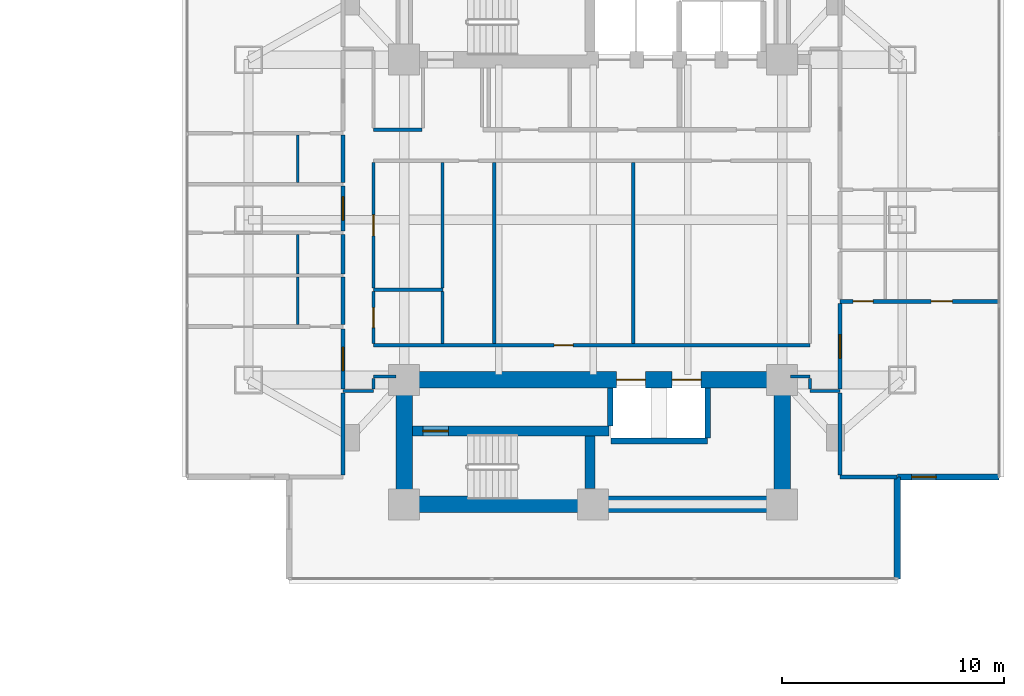
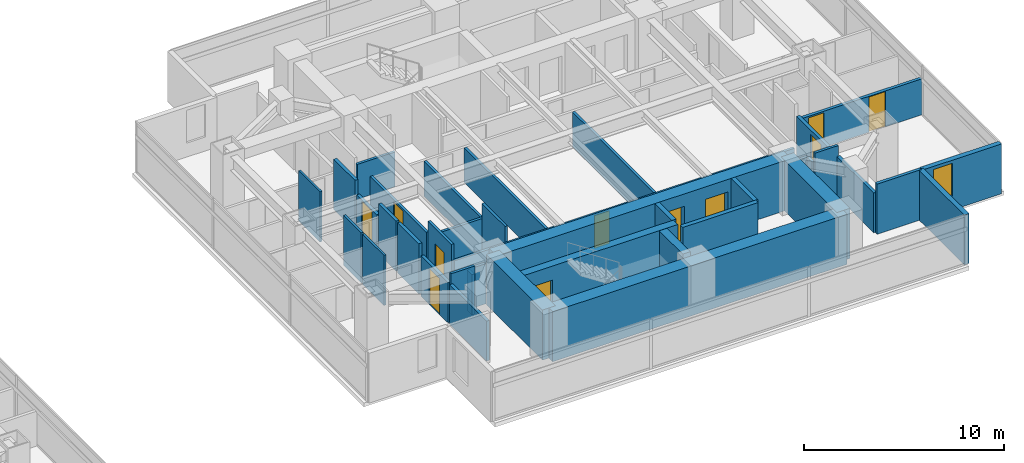
# One storey, part 16 of 23: 39 walls, 11 doors, 1 window, 12 openings.
"""IFC4 building model written with IfcOpenShell, lengths in metres."""

from ifc_helpers import new_model, si_unit, direction, frame, frame_2d, origin, place, context, subcontext, project, spatial, rectangle, extrude, material, layer, layer_set, type_object, element, fill, save


model = new_model("IFC4")

# Units and contexts
model_context = context("Model", 3, precision=1e-05, world=origin(), true_north=direction((0.0, 1.0)))
body_context = subcontext(model_context, "Body", "Model", "MODEL_VIEW")
ifc_project = project(units=[si_unit("LENGTHUNIT", "METRE"), si_unit("AREAUNIT", "SQUARE_METRE"), si_unit("VOLUMEUNIT", "CUBIC_METRE"), si_unit("PLANEANGLEUNIT", "RADIAN"), si_unit("MASSUNIT", "GRAM", prefix="KILO")], contexts=[model_context])

# Site, building, storey
site_placement = place(None, origin())
site = spatial("IfcSite", under=ifc_project, at=site_placement, CompositionType="ELEMENT")
building_placement = place(site_placement, origin())
building = spatial("IfcBuilding", under=site, at=building_placement, Name="Mirazonda Arch Towers", CompositionType="ELEMENT")
storey_placement = place(building_placement, frame((0.0, 0.0, 29.0)))
storey = spatial("IfcBuildingStorey", under=building, at=storey_placement, Name="L07", CompositionType="ELEMENT", Elevation=29.0)

# Wall, opening, door
ifc_material_1 = material(Name="Concrete C50/60", Category="concrete")
ifc_layer_1 = layer(ifc_material_1, 0.449951171875, Name="WALL-CORE-450")
ifc_layer_set_1 = layer_set([ifc_layer_1], Name="Concrete C50/60")
wall_type_1 = type_object("IfcWallType", Name="WALL-CORE-450", PredefinedType="SHEAR", material=ifc_layer_set_1)
wall_1_placement = place(storey_placement, frame((68.3701171875, 18.5, 0.0), z_axis=(0.0, 0.0, 1.0), x_axis=(1.0, 0.0, 0.0)))
wall_1 = element("IfcWall", 1, at=wall_1_placement, inside=storey, type_object=wall_type_1, Name="L07 Stair Core Shear Wall 014", PredefinedType="SHEAR", context=body_context, shape_type="SweptSolid", body=[
    extrude(rectangle(XDim=8.849853515625, YDim=0.449951171875, at=frame_2d((4.4248046875, 0.0))), origin(), (0.0, 0.0, 1.0), 3.06005859375),
])
opening_1_placement = place(wall_1_placement, frame((0.469970703125, 0.0, 0.0)))
opening_1 = element("IfcOpeningElement", 2, at=opening_1_placement, cuts=wall_1, Name="Opening DR-135", PredefinedType="OPENING", context=body_context, shape_type="SweptSolid", body=[
    extrude(rectangle(XDim=1.14990234375, YDim=2.199951171875, at=frame_2d((0.574951171875, 1.10009765625))), frame((0.0, 0.23486328125, 0.0), z_axis=(0.0, -1.0, 0.0), x_axis=(1.0, 0.0, 0.0)), (0.0, 0.0, 1.0), 0.469970703125),
])
ifc_material_2 = material(Name="Architectural Brushed Steel S355", Category="steel")
door_type_1 = type_object("IfcDoorType", Name="DOOR-STAIR-FD90-1150", OperationType="NOTDEFINED", PredefinedType="DOOR", material=ifc_material_2)
door_1_placement = place(opening_1_placement, origin())
door_1 = element("IfcDoor", 3, at=door_1_placement, inside=storey, type_object=door_type_1, Name="L07 East Protected Stair South Door", OperationType="SINGLE_SWING_RIGHT", OverallHeight=2.199951171875, OverallWidth=1.14990234375, PredefinedType="DOOR", context=body_context, shape_type="SweptSolid", body=[
    extrude(rectangle(XDim=1.14990234375, YDim=2.199951171875, at=frame_2d((0.574951171875, 1.10009765625))), frame((0.0, 0.02490234375, 0.0), z_axis=(0.0, -1.0, 0.0), x_axis=(1.0, 0.0, 0.0)), (0.0, 0.0, 1.0), 0.050048828125),
])
fill(opening_1, door_1)

# Walls
wall_2_placement = place(storey_placement, frame((76.360107421875, 15.9150390625, 0.0), z_axis=(0.0, 0.0, 1.0), x_axis=(0.0, 1.0, 0.0)))
element("IfcWall", 4, at=wall_2_placement, inside=storey, type_object=wall_type_1, Name="L07 Stair Core Shear Wall 141", PredefinedType="SHEAR", context=body_context, shape_type="SweptSolid", body=[
    extrude(rectangle(XDim=2.349853515625, YDim=0.449951171875, at=frame_2d((1.1748046875, 0.0))), origin(), (0.0, 0.0, 1.0), 3.06005859375),
])
ifc_material_3 = material(Name="Concrete C60/75", Category="concrete")
ifc_layer_2 = layer(ifc_material_3, 0.75, Name="WALL-CORE-750")
ifc_layer_set_2 = layer_set([ifc_layer_2], Name="Concrete C60/75")
wall_type_2 = type_object("IfcWallType", Name="WALL-CORE-750", PredefinedType="SHEAR", material=ifc_layer_set_2)
wall_3_placement = place(storey_placement, frame((68.0, 15.199951171875, 0.0), z_axis=(0.0, 0.0, 1.0), x_axis=(1.0, 0.0, 0.0)))
element("IfcWall", 5, at=wall_3_placement, inside=storey, type_object=wall_type_2, Name="L07 T2S-S Core Shear Wall", PredefinedType="SHEAR", context=body_context, shape_type="SweptSolid", body=[
    extrude(rectangle(XDim=17.0, YDim=0.75, at=frame_2d((8.5, 0.0))), origin(), (0.0, 0.0, 1.0), 3.06005859375),
])
for number, where, z_axis, x_axis, name in (
    (6, (68.0, 15.199951171875, 0.0), (0.0, 0.0, 1.0), (0.0, 1.0, 0.0), "L07 T2S-W Core Shear Wall"),
    (7, (85.0, 15.199951171875, 0.0), (0.0, 0.0, 1.0), (0.0, 1.0, 0.0), "L07 T2S-E Core Shear Wall"),
):
    element("IfcWall", number, at=place(storey_placement, frame(where, z_axis=z_axis, x_axis=x_axis)), inside=storey, type_object=wall_type_2, Name=name, PredefinedType="SHEAR", context=body_context, shape_type="SweptSolid", body=[
        extrude(rectangle(XDim=5.60009765625, YDim=0.75, at=frame_2d((2.800048828125, 0.0))), origin(), (0.0, 0.0, 1.0), 3.06005859375),
    ])

# Wall, openings, doors
wall_4_placement = place(storey_placement, frame((68.0, 20.800048828125, 0.0), z_axis=(0.0, 0.0, 1.0), x_axis=(1.0, 0.0, 0.0)))
wall_4 = element("IfcWall", 8, at=wall_4_placement, inside=storey, type_object=wall_type_2, Name="L07 T2S-N Core Shear Wall", PredefinedType="SHEAR", context=body_context, shape_type="SweptSolid", body=[
    extrude(rectangle(XDim=17.0, YDim=0.75, at=frame_2d((8.5, 0.0))), origin(), (0.0, 0.0, 1.0), 3.06005859375),
])
opening_2_placement = place(wall_4_placement, frame((9.550048828125, 0.0, 0.0)))
opening_2 = element("IfcOpeningElement", 9, at=opening_2_placement, cuts=wall_4, Name="Opening LD-111", PredefinedType="OPENING", context=body_context, shape_type="SweptSolid", body=[
    extrude(rectangle(XDim=1.300048828125, YDim=2.300048828125, at=frame_2d((0.64990234375, 1.14990234375))), frame((0.0, 0.385009765625, 0.0), z_axis=(0.0, -1.0, 0.0), x_axis=(1.0, 0.0, 0.0)), (0.0, 0.0, 1.0), 0.77001953125),
])
opening_3_placement = place(wall_4_placement, frame((12.050048828125, 0.0, 0.0)))
opening_3 = element("IfcOpeningElement", 10, at=opening_3_placement, cuts=wall_4, Name="Opening LD-111", PredefinedType="OPENING", context=body_context, shape_type="SweptSolid", body=[
    extrude(rectangle(XDim=1.300048828125, YDim=2.300048828125, at=frame_2d((0.64990234375, 1.14990234375))), frame((0.0, 0.385009765625, 0.0), z_axis=(0.0, -1.0, 0.0), x_axis=(1.0, 0.0, 0.0)), (0.0, 0.0, 1.0), 0.77001953125),
])
door_type_2 = type_object("IfcDoorType", Name="DOOR-LIFT-LAND-1300", OperationType="NOTDEFINED", PredefinedType="DOOR", material=ifc_material_2)
door_2_placement = place(opening_2_placement, origin())
door_2 = element("IfcDoor", 11, at=door_2_placement, inside=storey, type_object=door_type_2, Name="L07 Lift Landing Sliding Door PL-T2H1", OperationType="DOUBLE_DOOR_SLIDING", OverallHeight=2.300048828125, OverallWidth=1.300048828125, PredefinedType="DOOR", context=body_context, shape_type="SweptSolid", body=[
    extrude(rectangle(XDim=1.300048828125, YDim=2.300048828125, at=frame_2d((0.64990234375, 1.14990234375))), frame((0.0, 0.02490234375, 0.0), z_axis=(0.0, -1.0, 0.0), x_axis=(1.0, 0.0, 0.0)), (0.0, 0.0, 1.0), 0.050048828125),
])
fill(opening_2, door_2)
door_3_placement = place(opening_3_placement, origin())
door_3 = element("IfcDoor", 12, at=door_3_placement, inside=storey, type_object=door_type_2, Name="L07 Lift Landing Sliding Door PL-T2H2", OperationType="DOUBLE_DOOR_SLIDING", OverallHeight=2.300048828125, OverallWidth=1.300048828125, PredefinedType="DOOR", context=body_context, shape_type="SweptSolid", body=[
    extrude(rectangle(XDim=1.300048828125, YDim=2.300048828125, at=frame_2d((0.64990234375, 1.14990234375))), frame((0.0, 0.02490234375, 0.0), z_axis=(0.0, -1.0, 0.0), x_axis=(1.0, 0.0, 0.0)), (0.0, 0.0, 1.0), 0.050048828125),
])
fill(opening_3, door_3)

# Wall, opening, window
ifc_material_4 = material(Name="Precast Concrete C40/50", Category="concrete")
ifc_layer_3 = layer(ifc_material_4, 0.280029296875, Name="WALL-EXT-WALL-280")
ifc_layer_set_3 = layer_set([ifc_layer_3], Name="Precast Concrete C40/50")
wall_type_3 = type_object("IfcWallType", Name="WALL-EXT-WALL-280", PredefinedType="SOLIDWALL", material=ifc_layer_set_3)
wall_5_placement = place(storey_placement, frame((90.176025390625, 16.433349609375, 0.0), z_axis=(0.0, 0.0, 1.0), x_axis=(1.0, 0.0, 0.0)))
wall_5 = element("IfcWall", 13, at=wall_5_placement, inside=storey, type_object=wall_type_3, Name="L07 T2 Corner Notch Return Wall WL-L07-T2-CSE1", PredefinedType="SOLIDWALL", context=body_context, shape_type="SweptSolid", body=[
    extrude(rectangle(XDim=4.580078125, YDim=0.280029296875, at=frame_2d((2.2900390625, 0.0))), origin(), (0.0, 0.0, 1.0), 3.0400390625),
])
opening_4_placement = place(wall_5_placement, frame((0.64990234375, 0.0, 0.85009765625)))
opening_4 = element("IfcOpeningElement", 14, at=opening_4_placement, cuts=wall_5, Name="Opening WN-108", PredefinedType="OPENING", context=body_context, shape_type="SweptSolid", body=[
    extrude(rectangle(XDim=1.10009765625, YDim=2.0, at=frame_2d((0.550048828125, 1.0))), frame((0.0, 0.14990234375, 0.0), z_axis=(0.0, -1.0, 0.0), x_axis=(1.0, 0.0, 0.0)), (0.0, 0.0, 1.0), 0.300048828125),
])
ifc_material_5 = material(Name="Insulated Low-E Solar Glass", Category="glass")
window_type = type_object("IfcWindowType", Name="WIN-NOTCH-1100x2000", PartitioningType="SINGLE_PANEL", PredefinedType="WINDOW", material=ifc_material_5)
window_placement = place(opening_4_placement, origin())
window = element("IfcWindow", 15, at=window_placement, inside=storey, type_object=window_type, Name="L07 Punched Facade Window WN-L07-T2-CSE1", OverallHeight=2.0, OverallWidth=1.10009765625, PartitioningType="SINGLE_PANEL", PredefinedType="WINDOW", context=body_context, shape_type="SweptSolid", body=[
    extrude(rectangle(XDim=1.10009765625, YDim=2.0, at=frame_2d((0.550048828125, 1.0))), frame((0.0, 0.030029296875, 0.0), z_axis=(0.0, -1.0, 0.0), x_axis=(1.0, 0.0, 0.0)), (0.0, 0.0, 1.0), 0.06005859375),
])
fill(opening_4, window)

# Walls
wall_6_placement = place(storey_placement, frame((90.176025390625, 11.853515625, 0.0), z_axis=(0.0, 0.0, 1.0), x_axis=(0.0, 1.0, 0.0)))
element("IfcWall", 16, at=wall_6_placement, inside=storey, type_object=wall_type_3, Name="L07 T2 Corner Notch Return Wall WL-L07-T2-CSE2", PredefinedType="SOLIDWALL", context=body_context, shape_type="SweptSolid", body=[
    extrude(rectangle(XDim=4.579833984375, YDim=0.280029296875, at=frame_2d((2.2900390625, 0.0))), origin(), (0.0, 0.0, 1.0), 3.0400390625),
])
ifc_material_6 = material(Name="Fire-Rated Gypsum Stud Partition")
ifc_layer_4 = layer(ifc_material_6, 0.14990234375, Name="WALL-PART-CORR-150")
ifc_layer_set_4 = layer_set([ifc_layer_4], Name="Fire-Rated Gypsum Stud Partition")
wall_type_4 = type_object("IfcWallType", Name="WALL-PART-CORR-150", PredefinedType="PARTITIONING", material=ifc_layer_set_4)
wall_7_placement = place(storey_placement, frame((65.25, 20.300048828125, 0.0), z_axis=(0.0, 0.0, 1.0), x_axis=(1.0, 0.0, 0.0)))
element("IfcWall", 17, at=wall_7_placement, inside=storey, type_object=wall_type_4, Name="L07 Interior Partition 017", PredefinedType="PARTITIONING", context=body_context, shape_type="SweptSolid", body=[
    extrude(rectangle(XDim=1.3701171875, YDim=0.14990234375, at=frame_2d((0.68505859375, 0.0))), origin(), (0.0, 0.0, 1.0), 3.06005859375),
])
wall_8_placement = place(storey_placement, frame((86.25, 20.300048828125, 0.0), z_axis=(0.0, 0.0, 1.0), x_axis=(1.0, 0.0, 0.0)))
element("IfcWall", 18, at=wall_8_placement, inside=storey, type_object=wall_type_4, Name="L07 Interior Partition 018", PredefinedType="PARTITIONING", context=body_context, shape_type="SweptSolid", body=[
    extrude(rectangle(XDim=1.35009765625, YDim=0.14990234375, at=frame_2d((0.675048828125, 0.0))), origin(), (0.0, 0.0, 1.0), 3.06005859375),
])
wall_9_placement = place(storey_placement, frame((66.6201171875, 20.949951171875, 0.0), z_axis=(0.0, 0.0, 1.0), x_axis=(1.0, 0.0, 0.0)))
element("IfcWall", 19, at=wall_9_placement, inside=storey, type_object=wall_type_4, Name="L07 Interior Partition 019", PredefinedType="PARTITIONING", context=body_context, shape_type="SweptSolid", body=[
    extrude(rectangle(XDim=1.009765625, YDim=0.14990234375, at=frame_2d((0.5048828125, 0.0))), origin(), (0.0, 0.0, 1.0), 2.451904296875),
])
wall_10_placement = place(storey_placement, frame((85.3701171875, 20.949951171875, 0.0), z_axis=(0.0, 0.0, 1.0), x_axis=(1.0, 0.0, 0.0)))
element("IfcWall", 20, at=wall_10_placement, inside=storey, type_object=wall_type_4, Name="L07 Interior Partition 020", PredefinedType="PARTITIONING", context=body_context, shape_type="SweptSolid", body=[
    extrude(rectangle(XDim=0.8798828125, YDim=0.14990234375, at=frame_2d((0.43994140625, 0.0))), origin(), (0.0, 0.0, 1.0), 2.451904296875),
])

# Wall, opening, door
wall_11_placement = place(storey_placement, frame((66.6201171875, 22.35009765625, 0.0), z_axis=(0.0, 0.0, 1.0), x_axis=(1.0, 0.0, 0.0)))
wall_11 = element("IfcWall", 21, at=wall_11_placement, inside=storey, type_object=wall_type_4, Name="L07 Interior Partition 023", PredefinedType="PARTITIONING", context=body_context, shape_type="SweptSolid", body=[
    extrude(rectangle(XDim=19.6298828125, YDim=0.14990234375, at=frame_2d((9.81494140625, 0.0))), origin(), (0.0, 0.0, 1.0), 2.125),
])
opening_5_placement = place(wall_11_placement, frame((8.12890625, 0.0, 0.0)))
opening_5 = element("IfcOpeningElement", 22, at=opening_5_placement, cuts=wall_11, Name="Opening DR-128", PredefinedType="OPENING", context=body_context, shape_type="SweptSolid", body=[
    extrude(rectangle(XDim=0.85009765625, YDim=2.010009765625, at=frame_2d((0.425048828125, 1.0048828125))), frame((0.0, 0.0849609375, 0.0), z_axis=(0.0, -1.0, 0.0), x_axis=(1.0, 0.0, 0.0)), (0.0, 0.0, 1.0), 0.169921875),
])
door_type_3 = type_object("IfcDoorType", Name="DOOR-RISER-FD60-850", OperationType="NOTDEFINED", PredefinedType="DOOR", material=ifc_material_2)
door_4_placement = place(opening_5_placement, origin())
door_4 = element("IfcDoor", 23, at=door_4_placement, inside=storey, type_object=door_type_3, Name="L07 Executive Club Lounge Door", OperationType="SINGLE_SWING_LEFT", OverallHeight=2.010009765625, OverallWidth=0.85009765625, PredefinedType="DOOR", context=body_context, shape_type="SweptSolid", body=[
    extrude(rectangle(XDim=0.85009765625, YDim=2.010009765625, at=frame_2d((0.425048828125, 1.0048828125))), frame((0.0, 0.02490234375, 0.0), z_axis=(0.0, -1.0, 0.0), x_axis=(1.0, 0.0, 0.0)), (0.0, 0.0, 1.0), 0.050048828125),
])
fill(opening_5, door_4)

# Walls
wall_12_placement = place(storey_placement, frame((66.6201171875, 24.85009765625, 0.0), z_axis=(0.0, 0.0, 1.0), x_axis=(1.0, 0.0, 0.0)))
element("IfcWall", 24, at=wall_12_placement, inside=storey, type_object=wall_type_4, Name="L07 Interior Partition 028", PredefinedType="PARTITIONING", context=body_context, shape_type="SweptSolid", body=[
    extrude(rectangle(XDim=3.1298828125, YDim=0.14990234375, at=frame_2d((1.56494140625, 0.0))), origin(), (0.0, 0.0, 1.0), 2.125),
])
wall_13_placement = place(storey_placement, frame((66.6201171875, 32.050048828125, 0.0), z_axis=(0.0, 0.0, 1.0), x_axis=(1.0, 0.0, 0.0)))
element("IfcWall", 25, at=wall_13_placement, inside=storey, type_object=wall_type_4, Name="L07 Interior Partition 041", PredefinedType="PARTITIONING", context=body_context, shape_type="SweptSolid", body=[
    extrude(rectangle(XDim=2.179931640625, YDim=0.14990234375, at=frame_2d((1.08984375, 0.0))), origin(), (0.0, 0.0, 1.0), 2.125),
])
wall_14_placement = place(storey_placement, frame((66.6201171875, 20.385009765625, 0.0), z_axis=(0.0, 0.0, 1.0), x_axis=(0.0, 1.0, 0.0)))
element("IfcWall", 26, at=wall_14_placement, inside=storey, type_object=wall_type_4, Name="L07 Interior Partition 130", PredefinedType="PARTITIONING", context=body_context, shape_type="SweptSolid", body=[
    extrude(rectangle(XDim=0.47998046875, YDim=0.14990234375, at=frame_2d((0.239990234375, 0.0))), origin(), (0.0, 0.0, 1.0), 2.451904296875),
])

# Wall, opening, door
wall_15_placement = place(storey_placement, frame((66.6201171875, 22.43505859375, 0.0), z_axis=(0.0, 0.0, 1.0), x_axis=(0.0, 1.0, 0.0)))
wall_15 = element("IfcWall", 27, at=wall_15_placement, inside=storey, type_object=wall_type_4, Name="L07 Interior Partition 131", PredefinedType="PARTITIONING", context=body_context, shape_type="SweptSolid", body=[
    extrude(rectangle(XDim=2.329833984375, YDim=0.14990234375, at=frame_2d((1.1650390625, 0.0))), origin(), (0.0, 0.0, 1.0), 3.06005859375),
])
opening_6_placement = place(wall_15_placement, frame((0.715087890625, 0.0, 0.0)))
opening_6 = element("IfcOpeningElement", 28, at=opening_6_placement, cuts=wall_15, Name="Opening DR-120", PredefinedType="OPENING", context=body_context, shape_type="SweptSolid", body=[
    extrude(rectangle(XDim=0.89990234375, YDim=2.10009765625, at=frame_2d((0.449951171875, 1.050048828125))), frame((0.0, 0.0849609375, 0.0), z_axis=(0.0, -1.0, 0.0), x_axis=(1.0, 0.0, 0.0)), (0.0, 0.0, 1.0), 0.169921875),
])
door_type_4 = type_object("IfcDoorType", Name="DOOR-WC-900", OperationType="NOTDEFINED", PredefinedType="DOOR", material=ifc_material_2)
door_5_placement = place(opening_6_placement, origin())
door_5 = element("IfcDoor", 29, at=door_5_placement, inside=storey, type_object=door_type_4, Name="L07 Tower 2 Common Accessible WC Door", OperationType="SINGLE_SWING_LEFT", OverallHeight=2.10009765625, OverallWidth=0.89990234375, PredefinedType="DOOR", context=body_context, shape_type="SweptSolid", body=[
    extrude(rectangle(XDim=0.89990234375, YDim=2.10009765625, at=frame_2d((0.449951171875, 1.050048828125))), frame((0.0, 0.02490234375, 0.0), z_axis=(0.0, -1.0, 0.0), x_axis=(1.0, 0.0, 0.0)), (0.0, 0.0, 1.0), 0.050048828125),
])
fill(opening_6, door_5)

wall_16_placement = place(storey_placement, frame((66.6201171875, 24.93505859375, 0.0), z_axis=(0.0, 0.0, 1.0), x_axis=(0.0, 1.0, 0.0)))
wall_16 = element("IfcWall", 30, at=wall_16_placement, inside=storey, type_object=wall_type_4, Name="L07 Interior Partition 132", PredefinedType="PARTITIONING", context=body_context, shape_type="SweptSolid", body=[
    extrude(rectangle(XDim=5.6298828125, YDim=0.14990234375, at=frame_2d((2.81494140625, 0.0))), origin(), (0.0, 0.0, 1.0), 2.279052734375),
])
opening_7_placement = place(wall_16_placement, frame((2.340087890625, 0.0, 0.0)))
opening_7 = element("IfcOpeningElement", 31, at=opening_7_placement, cuts=wall_16, Name="Opening DR-104", PredefinedType="OPENING", context=body_context, shape_type="SweptSolid", body=[
    extrude(rectangle(XDim=0.949951171875, YDim=2.14990234375, at=frame_2d((0.47509765625, 1.074951171875))), frame((0.0, 0.0849609375, 0.0), z_axis=(0.0, -1.0, 0.0), x_axis=(1.0, 0.0, 0.0)), (0.0, 0.0, 1.0), 0.169921875),
])
door_type_5 = type_object("IfcDoorType", Name="DOOR-ROOM-950", OperationType="NOTDEFINED", PredefinedType="DOOR", material=ifc_material_2)
door_6_placement = place(opening_7_placement, origin())
door_6 = element("IfcDoor", 32, at=door_6_placement, inside=storey, type_object=door_type_5, Name="L07 L07 East Courtyard Reading Study Door", OperationType="SINGLE_SWING_LEFT", OverallHeight=2.14990234375, OverallWidth=0.949951171875, PredefinedType="DOOR", context=body_context, shape_type="SweptSolid", body=[
    extrude(rectangle(XDim=0.949951171875, YDim=2.14990234375, at=frame_2d((0.47509765625, 1.074951171875))), frame((0.0, 0.02490234375, 0.0), z_axis=(0.0, -1.0, 0.0), x_axis=(1.0, 0.0, 0.0)), (0.0, 0.0, 1.0), 0.050048828125),
])
fill(opening_7, door_6)

# Walls
wall_17_placement = place(storey_placement, frame((69.723388671875, 22.43505859375, 0.0), z_axis=(0.0, 0.0, 1.0), x_axis=(0.0, 1.0, 0.0)))
element("IfcWall", 33, at=wall_17_placement, inside=storey, type_object=wall_type_4, Name="L07 Interior Partition 135", PredefinedType="PARTITIONING", context=body_context, shape_type="SweptSolid", body=[
    extrude(rectangle(XDim=2.329833984375, YDim=0.14990234375, at=frame_2d((1.1650390625, 0.0))), origin(), (0.0, 0.0, 1.0), 3.06005859375),
])
wall_18_placement = place(storey_placement, frame((69.723388671875, 24.93505859375, 0.0), z_axis=(0.0, 0.0, 1.0), x_axis=(0.0, 1.0, 0.0)))
element("IfcWall", 34, at=wall_18_placement, inside=storey, type_object=wall_type_4, Name="L07 Interior Partition 136", PredefinedType="PARTITIONING", context=body_context, shape_type="SweptSolid", body=[
    extrude(rectangle(XDim=5.6298828125, YDim=0.14990234375, at=frame_2d((2.81494140625, 0.0))), origin(), (0.0, 0.0, 1.0), 2.125),
])
for number, where, z_axis, x_axis, name in (
    (35, (72.050048828125, 22.43505859375, 0.0), (0.0, 0.0, 1.0), (0.0, 1.0, 0.0), "L07 Interior Partition 139"),
    (36, (78.298095703125, 22.43505859375, 0.0), (0.0, 0.0, 1.0), (0.0, 1.0, 0.0), "L07 Interior Partition 144"),
):
    element("IfcWall", number, at=place(storey_placement, frame(where, z_axis=z_axis, x_axis=x_axis)), inside=storey, type_object=wall_type_4, Name=name, PredefinedType="PARTITIONING", context=body_context, shape_type="SweptSolid", body=[
        extrude(rectangle(XDim=8.1298828125, YDim=0.14990234375, at=frame_2d((4.06494140625, 0.0))), origin(), (0.0, 0.0, 1.0), 2.125),
    ])
wall_19_placement = place(storey_placement, frame((86.25, 20.385009765625, 0.0), z_axis=(0.0, 0.0, 1.0), x_axis=(0.0, 1.0, 0.0)))
element("IfcWall", 37, at=wall_19_placement, inside=storey, type_object=wall_type_4, Name="L07 Interior Partition 149", PredefinedType="PARTITIONING", context=body_context, shape_type="SweptSolid", body=[
    extrude(rectangle(XDim=0.47998046875, YDim=0.14990234375, at=frame_2d((0.239990234375, 0.0))), origin(), (0.0, 0.0, 1.0), 2.451904296875),
])
ifc_material_7 = material(Name="Fire-Rated Gypsum Twin-Stud Assembly")
ifc_layer_5 = layer(ifc_material_7, 0.179931640625, Name="WALL-PART-DEMISE-180")
ifc_layer_set_5 = layer_set([ifc_layer_5], Name="Fire-Rated Gypsum Twin-Stud Assembly")
wall_type_5 = type_object("IfcWallType", Name="WALL-PART-DEMISE-180", PredefinedType="PARTITIONING", material=ifc_layer_set_5)
wall_20_placement = place(storey_placement, frame((87.60009765625, 16.43310546875, 0.0), z_axis=(0.0, 0.0, 1.0), x_axis=(1.0, 0.0, 0.0)))
element("IfcWall", 38, at=wall_20_placement, inside=storey, type_object=wall_type_5, Name="L07 Interior Partition 010", PredefinedType="PARTITIONING", context=body_context, shape_type="SweptSolid", body=[
    extrude(rectangle(XDim=2.555908203125, YDim=0.179931640625, at=frame_2d((1.27783203125, 0.0))), origin(), (0.0, 0.0, 1.0), 3.06005859375),
])

# Wall, openings, doors
wall_21_placement = place(storey_placement, frame((87.60009765625, 24.33203125, 0.0), z_axis=(0.0, 0.0, 1.0), x_axis=(1.0, 0.0, 0.0)))
wall_21 = element("IfcWall", 39, at=wall_21_placement, inside=storey, type_object=wall_type_5, Name="L07 Interior Partition 027", PredefinedType="PARTITIONING", context=body_context, shape_type="SweptSolid", body=[
    extrude(rectangle(XDim=7.156005859375, YDim=0.179931640625, at=frame_2d((3.578125, 0.0))), origin(), (0.0, 0.0, 1.0), 2.196044921875),
])
opening_8_placement = place(wall_21_placement, frame((4.10302734375, 0.0, 0.0)))
opening_8 = element("IfcOpeningElement", 40, at=opening_8_placement, cuts=wall_21, Name="Opening DR-104", PredefinedType="OPENING", context=body_context, shape_type="SweptSolid", body=[
    extrude(rectangle(XDim=0.949951171875, YDim=2.14990234375, at=frame_2d((0.47509765625, 1.074951171875))), frame((0.0, 0.099853515625, 0.0), z_axis=(0.0, -1.0, 0.0), x_axis=(1.0, 0.0, 0.0)), (0.0, 0.0, 1.0), 0.199951171875),
])
opening_9_placement = place(wall_21_placement, frame((0.590087890625, 0.0, 0.0)))
opening_9 = element("IfcOpeningElement", 41, at=opening_9_placement, cuts=wall_21, Name="Opening DR-120", PredefinedType="OPENING", context=body_context, shape_type="SweptSolid", body=[
    extrude(rectangle(XDim=0.89990234375, YDim=2.10009765625, at=frame_2d((0.449951171875, 1.050048828125))), frame((0.0, 0.099853515625, 0.0), z_axis=(0.0, -1.0, 0.0), x_axis=(1.0, 0.0, 0.0)), (0.0, 0.0, 1.0), 0.199951171875),
])
door_7_placement = place(opening_8_placement, origin())
door_7 = element("IfcDoor", 42, at=door_7_placement, inside=storey, type_object=door_type_5, Name="L07 Suite Bedroom 1 Door", OperationType="SINGLE_SWING_RIGHT", OverallHeight=2.14990234375, OverallWidth=0.949951171875, PredefinedType="DOOR", context=body_context, shape_type="SweptSolid", body=[
    extrude(rectangle(XDim=0.949951171875, YDim=2.14990234375, at=frame_2d((0.47509765625, 1.074951171875))), frame((0.0, 0.02490234375, 0.0), z_axis=(0.0, -1.0, 0.0), x_axis=(1.0, 0.0, 0.0)), (0.0, 0.0, 1.0), 0.050048828125),
])
fill(opening_8, door_7)
door_8_placement = place(opening_9_placement, origin())
door_8 = element("IfcDoor", 43, at=door_8_placement, inside=storey, type_object=door_type_4, Name="L07 Suite En-Suite Bathroom 1 Door", OperationType="SINGLE_SWING_LEFT", OverallHeight=2.10009765625, OverallWidth=0.89990234375, PredefinedType="DOOR", context=body_context, shape_type="SweptSolid", body=[
    extrude(rectangle(XDim=0.89990234375, YDim=2.10009765625, at=frame_2d((0.449951171875, 1.050048828125))), frame((0.0, 0.02490234375, 0.0), z_axis=(0.0, -1.0, 0.0), x_axis=(1.0, 0.0, 0.0)), (0.0, 0.0, 1.0), 0.050048828125),
])
fill(opening_9, door_8)

# Wall
wall_22_placement = place(storey_placement, frame((65.25, 16.532958984375, 0.0), z_axis=(0.0, 0.0, 1.0), x_axis=(0.0, 1.0, 0.0)))
element("IfcWall", 44, at=wall_22_placement, inside=storey, type_object=wall_type_5, Name="L07 Interior Partition 122", PredefinedType="PARTITIONING", context=body_context, shape_type="SweptSolid", body=[
    extrude(rectangle(XDim=3.68212890625, YDim=0.179931640625, at=frame_2d((1.841064453125, 0.0))), origin(), (0.0, 0.0, 1.0), 2.43603515625),
])

# Wall, opening, door
wall_23_placement = place(storey_placement, frame((65.25, 20.385009765625, 0.0), z_axis=(0.0, 0.0, 1.0), x_axis=(0.0, 1.0, 0.0)))
wall_23 = element("IfcWall", 45, at=wall_23_placement, inside=storey, type_object=wall_type_5, Name="L07 Interior Partition 123", PredefinedType="PARTITIONING", context=body_context, shape_type="SweptSolid", body=[
    extrude(rectangle(XDim=2.70703125, YDim=0.179931640625, at=frame_2d((1.353515625, 0.0))), origin(), (0.0, 0.0, 1.0), 2.451904296875),
])
opening_10_placement = place(wall_23_placement, frame((0.82861328125, 0.0, 0.0)))
opening_10 = element("IfcOpeningElement", 46, at=opening_10_placement, cuts=wall_23, Name="Opening DR-121", PredefinedType="OPENING", context=body_context, shape_type="SweptSolid", body=[
    extrude(rectangle(XDim=1.050048828125, YDim=2.199951171875, at=frame_2d((0.52490234375, 1.10009765625))), frame((0.0, 0.099853515625, 0.0), z_axis=(0.0, -1.0, 0.0), x_axis=(1.0, 0.0, 0.0)), (0.0, 0.0, 1.0), 0.199951171875),
])
door_type_6 = type_object("IfcDoorType", Name="DOOR-SUITE-FD60-1050", OperationType="NOTDEFINED", PredefinedType="DOOR", material=ifc_material_2)
door_9_placement = place(opening_10_placement, origin())
door_9 = element("IfcDoor", 47, at=door_9_placement, inside=storey, type_object=door_type_6, Name="L07 King Hotel Guestroom 1 Door", OperationType="SINGLE_SWING_RIGHT", OverallHeight=2.199951171875, OverallWidth=1.050048828125, PredefinedType="DOOR", context=body_context, shape_type="SweptSolid", body=[
    extrude(rectangle(XDim=1.050048828125, YDim=2.199951171875, at=frame_2d((0.52490234375, 1.10009765625))), frame((0.0, 0.02490234375, 0.0), z_axis=(0.0, -1.0, 0.0), x_axis=(1.0, 0.0, 0.0)), (0.0, 0.0, 1.0), 0.050048828125),
])
fill(opening_10, door_9)

# Walls
wall_24_placement = place(storey_placement, frame((65.25, 23.2919921875, 0.0), z_axis=(0.0, 0.0, 1.0), x_axis=(0.0, 1.0, 0.0)))
element("IfcWall", 48, at=wall_24_placement, inside=storey, type_object=wall_type_5, Name="L07 Interior Partition 124", PredefinedType="PARTITIONING", context=body_context, shape_type="SweptSolid", body=[
    extrude(rectangle(XDim=2.12744140625, YDim=0.179931640625, at=frame_2d((1.063720703125, 0.0))), origin(), (0.0, 0.0, 1.0), 3.06005859375),
])
wall_25_placement = place(storey_placement, frame((65.25, 25.564453125, 0.0), z_axis=(0.0, 0.0, 1.0), x_axis=(0.0, 1.0, 0.0)))
element("IfcWall", 49, at=wall_25_placement, inside=storey, type_object=wall_type_5, Name="L07 Interior Partition 125", PredefinedType="PARTITIONING", context=body_context, shape_type="SweptSolid", body=[
    extrude(rectangle(XDim=1.762451171875, YDim=0.179931640625, at=frame_2d((0.88134765625, 0.0))), origin(), (0.0, 0.0, 1.0), 3.06005859375),
])

# Wall, opening, door
wall_26_placement = place(storey_placement, frame((65.25, 27.4970703125, 0.0), z_axis=(0.0, 0.0, 1.0), x_axis=(0.0, 1.0, 0.0)))
wall_26 = element("IfcWall", 50, at=wall_26_placement, inside=storey, type_object=wall_type_5, Name="L07 Interior Partition 126", PredefinedType="PARTITIONING", context=body_context, shape_type="SweptSolid", body=[
    extrude(rectangle(XDim=2.013916015625, YDim=0.179931640625, at=frame_2d((1.0068359375, 0.0))), origin(), (0.0, 0.0, 1.0), 2.279052734375),
])
opening_11_placement = place(wall_26_placement, frame((0.48193359375, 0.0, 0.0)))
opening_11 = element("IfcOpeningElement", 51, at=opening_11_placement, cuts=wall_26, Name="Opening DR-121", PredefinedType="OPENING", context=body_context, shape_type="SweptSolid", body=[
    extrude(rectangle(XDim=1.050048828125, YDim=2.199951171875, at=frame_2d((0.52490234375, 1.10009765625))), frame((0.0, 0.099853515625, 0.0), z_axis=(0.0, -1.0, 0.0), x_axis=(1.0, 0.0, 0.0)), (0.0, 0.0, 1.0), 0.199951171875),
])
door_10_placement = place(opening_11_placement, origin())
door_10 = element("IfcDoor", 52, at=door_10_placement, inside=storey, type_object=door_type_6, Name="L07 Twin Hotel Guestroom 2 Door", OperationType="SINGLE_SWING_LEFT", OverallHeight=2.199951171875, OverallWidth=1.050048828125, PredefinedType="DOOR", context=body_context, shape_type="SweptSolid", body=[
    extrude(rectangle(XDim=1.050048828125, YDim=2.199951171875, at=frame_2d((0.52490234375, 1.10009765625))), frame((0.0, 0.02490234375, 0.0), z_axis=(0.0, -1.0, 0.0), x_axis=(1.0, 0.0, 0.0)), (0.0, 0.0, 1.0), 0.050048828125),
])
fill(opening_11, door_10)

# Walls
wall_27_placement = place(storey_placement, frame((65.25, 29.680908203125, 0.0), z_axis=(0.0, 0.0, 1.0), x_axis=(0.0, 1.0, 0.0)))
element("IfcWall", 53, at=wall_27_placement, inside=storey, type_object=wall_type_5, Name="L07 Interior Partition 127", PredefinedType="PARTITIONING", context=body_context, shape_type="SweptSolid", body=[
    extrude(rectangle(XDim=2.130126953125, YDim=0.179931640625, at=frame_2d((1.06494140625, 0.0))), origin(), (0.0, 0.0, 1.0), 3.06005859375),
])
wall_28_placement = place(storey_placement, frame((87.60009765625, 16.532958984375, 0.0), z_axis=(0.0, 0.0, 1.0), x_axis=(0.0, 1.0, 0.0)))
element("IfcWall", 54, at=wall_28_placement, inside=storey, type_object=wall_type_5, Name="L07 Interior Partition 153", PredefinedType="PARTITIONING", context=body_context, shape_type="SweptSolid", body=[
    extrude(rectangle(XDim=3.68212890625, YDim=0.179931640625, at=frame_2d((1.841064453125, 0.0))), origin(), (0.0, 0.0, 1.0), 2.43603515625),
])

# Wall, opening, door
wall_29_placement = place(storey_placement, frame((87.60009765625, 20.385009765625, 0.0), z_axis=(0.0, 0.0, 1.0), x_axis=(0.0, 1.0, 0.0)))
wall_29 = element("IfcWall", 55, at=wall_29_placement, inside=storey, type_object=wall_type_5, Name="L07 Interior Partition 154", PredefinedType="PARTITIONING", context=body_context, shape_type="SweptSolid", body=[
    extrude(rectangle(XDim=3.846923828125, YDim=0.179931640625, at=frame_2d((1.92333984375, 0.0))), origin(), (0.0, 0.0, 1.0), 2.451904296875),
])
opening_12_placement = place(wall_29_placement, frame((1.3984375, 0.0, 0.0)))
opening_12 = element("IfcOpeningElement", 56, at=opening_12_placement, cuts=wall_29, Name="Opening DR-121", PredefinedType="OPENING", context=body_context, shape_type="SweptSolid", body=[
    extrude(rectangle(XDim=1.050048828125, YDim=2.199951171875, at=frame_2d((0.52490234375, 1.10009765625))), frame((0.0, 0.099853515625, 0.0), z_axis=(0.0, -1.0, 0.0), x_axis=(1.0, 0.0, 0.0)), (0.0, 0.0, 1.0), 0.199951171875),
])
door_11_placement = place(opening_12_placement, origin())
door_11 = element("IfcDoor", 57, at=door_11_placement, inside=storey, type_object=door_type_6, Name="L07 Panoramic Suite Salon 1 Door", OperationType="SINGLE_SWING_LEFT", OverallHeight=2.199951171875, OverallWidth=1.050048828125, PredefinedType="DOOR", context=body_context, shape_type="SweptSolid", body=[
    extrude(rectangle(XDim=1.050048828125, YDim=2.199951171875, at=frame_2d((0.52490234375, 1.10009765625))), frame((0.0, 0.02490234375, 0.0), z_axis=(0.0, -1.0, 0.0), x_axis=(1.0, 0.0, 0.0)), (0.0, 0.0, 1.0), 0.050048828125),
])
fill(opening_12, door_11)

# Walls
ifc_material_8 = material(Name="Acoustic Fire-Rated Gypsum Partition")
ifc_layer_6 = layer(ifc_material_8, 0.125, Name="WALL-PART-UNIT-125")
ifc_layer_set_6 = layer_set([ifc_layer_6], Name="Acoustic Fire-Rated Gypsum Partition")
wall_type_6 = type_object("IfcWallType", Name="WALL-PART-UNIT-125", PredefinedType="PARTITIONING", material=ifc_layer_set_6)
wall_30_placement = place(storey_placement, frame((63.2099609375, 23.2919921875, 0.0), z_axis=(0.0, 0.0, 1.0), x_axis=(0.0, 1.0, 0.0)))
element("IfcWall", 58, at=wall_30_placement, inside=storey, type_object=wall_type_6, Name="L07 Interior Partition 119", PredefinedType="PARTITIONING", context=body_context, shape_type="SweptSolid", body=[
    extrude(rectangle(XDim=2.12744140625, YDim=0.125, at=frame_2d((1.063720703125, 0.0))), origin(), (0.0, 0.0, 1.0), 3.06005859375),
])
wall_31_placement = place(storey_placement, frame((63.2099609375, 25.564453125, 0.0), z_axis=(0.0, 0.0, 1.0), x_axis=(0.0, 1.0, 0.0)))
element("IfcWall", 59, at=wall_31_placement, inside=storey, type_object=wall_type_6, Name="L07 Interior Partition 120", PredefinedType="PARTITIONING", context=body_context, shape_type="SweptSolid", body=[
    extrude(rectangle(XDim=1.762451171875, YDim=0.125, at=frame_2d((0.88134765625, 0.0))), origin(), (0.0, 0.0, 1.0), 3.06005859375),
])
wall_32_placement = place(storey_placement, frame((63.2099609375, 29.680908203125, 0.0), z_axis=(0.0, 0.0, 1.0), x_axis=(0.0, 1.0, 0.0)))
element("IfcWall", 60, at=wall_32_placement, inside=storey, type_object=wall_type_6, Name="L07 Interior Partition 121", PredefinedType="PARTITIONING", context=body_context, shape_type="SweptSolid", body=[
    extrude(rectangle(XDim=2.130126953125, YDim=0.125, at=frame_2d((1.06494140625, 0.0))), origin(), (0.0, 0.0, 1.0), 3.06005859375),
])
ifc_material_9 = material(Name="Concrete C40/50", Category="concrete")
ifc_layer_7 = layer(ifc_material_9, 0.25, Name="WALL-SHAFT-250")
ifc_layer_set_7 = layer_set([ifc_layer_7], Name="Concrete C40/50")
wall_type_7 = type_object("IfcWallType", Name="WALL-SHAFT-250", PredefinedType="SOLIDWALL", material=ifc_layer_set_7)
wall_33_placement = place(storey_placement, frame((77.300048828125, 18.050048828125, 0.0), z_axis=(0.0, 0.0, 1.0), x_axis=(1.0, 0.0, 0.0)))
element("IfcWall", 61, at=wall_33_placement, inside=storey, type_object=wall_type_7, Name="L07 Interior Partition 011", PredefinedType="SOLIDWALL", context=body_context, shape_type="SweptSolid", body=[
    extrude(rectangle(XDim=4.349853515625, YDim=0.25, at=frame_2d((2.1748046875, 0.0))), origin(), (0.0, 0.0, 1.0), 3.06005859375),
])
wall_34_placement = place(storey_placement, frame((77.260009765625, 18.735107421875, 0.0), z_axis=(0.0, 0.0, 1.0), x_axis=(0.0, 1.0, 0.0)))
element("IfcWall", 62, at=wall_34_placement, inside=storey, type_object=wall_type_7, Name="L07 Interior Partition 143", PredefinedType="SOLIDWALL", context=body_context, shape_type="SweptSolid", body=[
    extrude(rectangle(XDim=1.69482421875, YDim=0.25, at=frame_2d((0.847412109375, 0.0))), origin(), (0.0, 0.0, 1.0), 3.06005859375),
])
wall_35_placement = place(storey_placement, frame((81.64990234375, 18.18505859375, 0.0), z_axis=(0.0, 0.0, 1.0), x_axis=(0.0, 1.0, 0.0)))
element("IfcWall", 63, at=wall_35_placement, inside=storey, type_object=wall_type_7, Name="L07 Interior Partition 147", PredefinedType="SOLIDWALL", context=body_context, shape_type="SweptSolid", body=[
    extrude(rectangle(XDim=2.244873046875, YDim=0.25, at=frame_2d((1.12255859375, 0.0))), origin(), (0.0, 0.0, 1.0), 3.06005859375),
])

save(model, "model.ifc")
